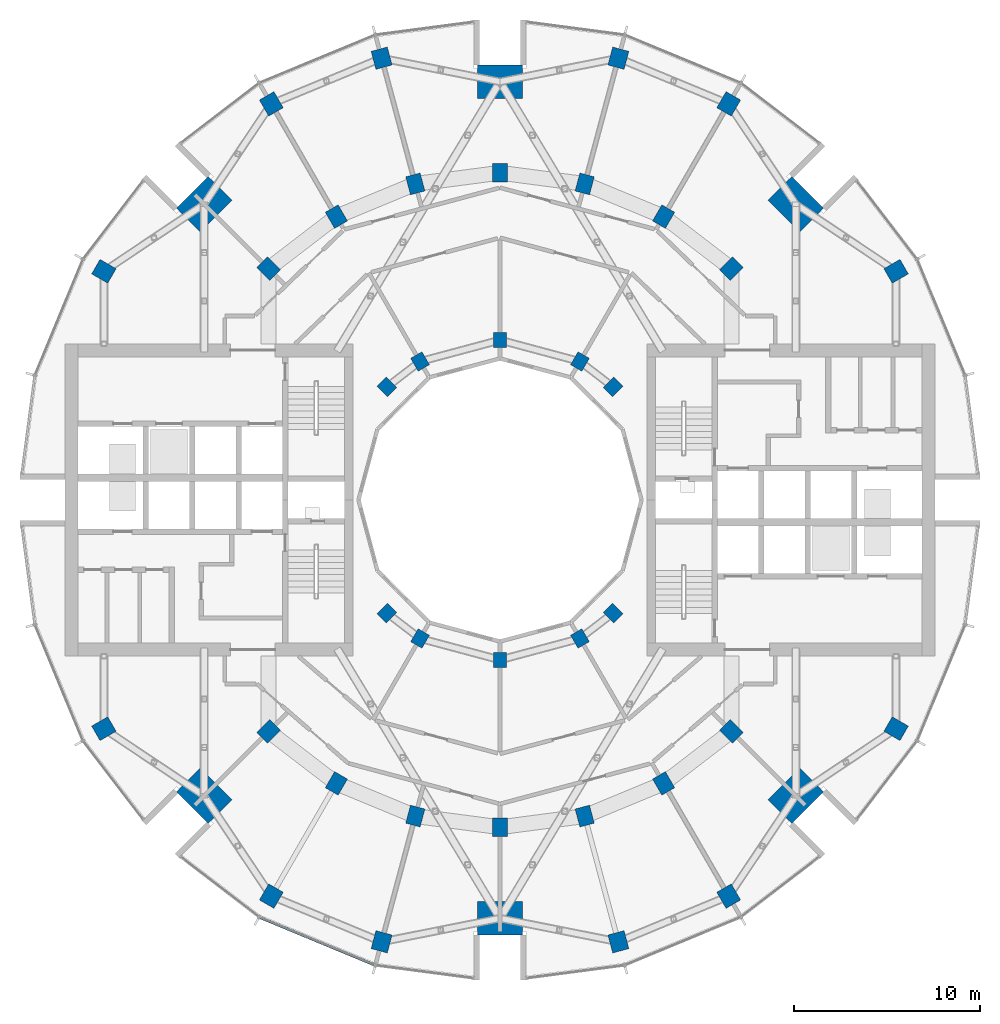
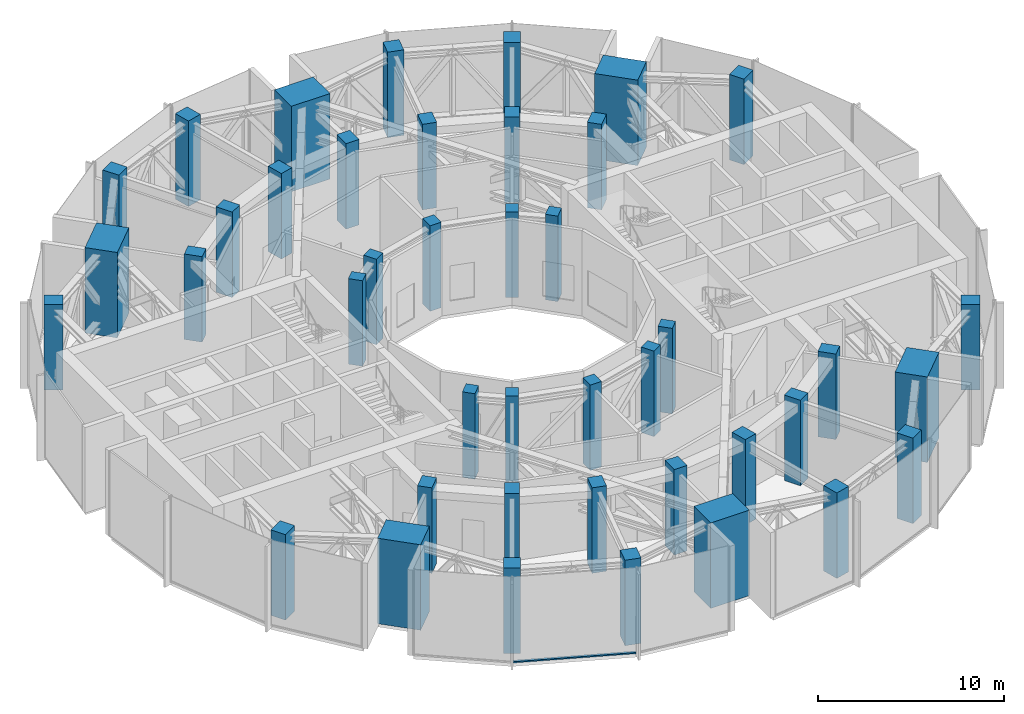
# One storey, part 1 of 18: 42 columns, 1 member, 1 element without a shape of its own.
"""IFC4 building model written with IfcOpenShell, lengths in metres."""

import ifcopenshell
import ifcopenshell.guid

model = None  # the IFC model being written
_history = None  # IfcOwnerHistory: only IFC2X3 demands one
_inside = {}  # id of a spatial element -> (the spatial element, [elements in it])
_under = {}  # id of a project, library or spatial element -> (it, [spatial elements below it])
_declared = {}  # id of a project -> (the project, [libraries it declares])
_typed = {}  # id of a type object -> (the type object, [elements of that type])
_made_of = {}  # id of a material, layer set ... -> (it, [elements and type objects made of it])


def new_model(schema):
    """Start an empty IFC model of exactly this schema.

    Asked for "IFC4X3", IfcOpenShell would pick the latest addendum, in which some entities
    have other attributes; the version numbers below select the first issue.
    IFC2X3 requires an IfcOwnerHistory on every rooted entity: one is made here for all.
    """
    global model, _history
    if schema == "IFC4X3":
        model = ifcopenshell.file(schema_version=(4, 3, 0, 0))
    else:
        model = ifcopenshell.file(schema=schema)
    _inside.clear()
    _under.clear()
    _declared.clear()
    _typed.clear()
    _made_of.clear()
    _history = None
    if model.schema == "IFC2X3":
        org = make("IfcOrganization", Name="unknown")
        user = make(
            "IfcPersonAndOrganization",
            ThePerson=make("IfcPerson", FamilyName="unknown"),
            TheOrganization=org,
        )
        app = make(
            "IfcApplication",
            ApplicationDeveloper=org,
            Version="unknown",
            ApplicationFullName="unknown",
            ApplicationIdentifier="unknown",
        )
        _history = make(
            "IfcOwnerHistory",
            OwningUser=user,
            OwningApplication=app,
            ChangeAction="ADDED",
            CreationDate=0,
        )
    return model


def make(cls, **values):
    """One entity of the class cls with the attributes given. An attribute that is None is left unset."""
    return model.create_entity(
        cls, **{name: value for name, value in values.items() if value is not None}
    )


def rooted(cls, **values):
    """An entity with a GlobalId (a new one), such as an element, a storey or a relation."""
    return make(cls, GlobalId=ifcopenshell.guid.new(), OwnerHistory=_history, **values)


def si_unit(unit_type, name, prefix=None):
    """IfcSIUnit, for example si_unit("LENGTHUNIT", "METRE", prefix="MILLI")."""
    return make("IfcSIUnit", UnitType=unit_type, Prefix=prefix, Name=name)


def assignment(units):
    """IfcUnitAssignment: the units of a project."""
    return None if units is None else make("IfcUnitAssignment", Units=units)


def point(xyz):
    """IfcCartesianPoint."""
    return None if xyz is None else make("IfcCartesianPoint", Coordinates=xyz)


def direction(xyz):
    """IfcDirection."""
    return None if xyz is None else make("IfcDirection", DirectionRatios=xyz)


def frame(location, z_axis=None, x_axis=None):
    """IfcAxis2Placement3D, a coordinate frame: its origin and axes. An axis left out is left unset."""
    return make(
        "IfcAxis2Placement3D",
        Location=point(location),
        Axis=direction(z_axis),
        RefDirection=direction(x_axis),
    )


def frame_2d(location, x_axis=None):
    """IfcAxis2Placement2D, a coordinate frame in the plane: its origin and x axis."""
    return make(
        "IfcAxis2Placement2D", Location=point(location), RefDirection=direction(x_axis)
    )


def origin():
    """The frame at (0, 0, 0) with its axes left unset."""
    return frame((0.0, 0.0, 0.0))


def origin_2d():
    """The frame at (0, 0) in the plane with its x axis left unset."""
    return frame_2d((0.0, 0.0))


def place(relative_to, where):
    """IfcLocalPlacement: puts the frame where relative to a parent placement (None: the world)."""
    return make(
        "IfcLocalPlacement", PlacementRelTo=relative_to, RelativePlacement=where
    )


def context(
    kind, dimensions, precision=None, world=None, true_north=None, identifier=None
):
    """IfcGeometricRepresentationContext, for example the 3D "Model" context."""
    return make(
        "IfcGeometricRepresentationContext",
        ContextIdentifier=identifier,
        ContextType=kind,
        CoordinateSpaceDimension=dimensions,
        Precision=precision,
        WorldCoordinateSystem=world,
        TrueNorth=true_north,
    )


def subcontext(parent, identifier, kind, view, scale=None):
    """IfcGeometricRepresentationSubContext, for example "Body" below "Model"."""
    return make(
        "IfcGeometricRepresentationSubContext",
        ContextIdentifier=identifier,
        ContextType=kind,
        ParentContext=parent,
        TargetScale=scale,
        TargetView=view,
    )


def project(units=None, contexts=None):
    """IfcProject with its units and contexts."""
    return rooted(
        "IfcProject",
        Name="project",
        RepresentationContexts=contexts,
        UnitsInContext=assignment(units),
    )


def spatial(cls, under=None, at=None, **own):
    """A site, building, storey or space (cls), placed at a placement, below another one or the project."""
    s = rooted(cls, ObjectPlacement=at, **own)
    if under is not None:
        _under.setdefault(under.id(), (under, []))[1].append(s)
    return s


def profile(cls, at=None, kind="AREA", **sizes):
    """A parametric profile (cls). Its sizes go by their IFC names, for example OverallWidth=200.0."""
    return make(cls, ProfileType=kind, Position=at, **sizes)


def rectangle(**sizes):
    """IfcRectangleProfileDef."""
    return profile("IfcRectangleProfileDef", **sizes)


def extrude(swept, where, along, depth):
    """IfcExtrudedAreaSolid: the profile swept, set in the frame where, extruded along a direction by depth."""
    return make(
        "IfcExtrudedAreaSolid",
        SweptArea=swept,
        Position=where,
        ExtrudedDirection=direction(along),
        Depth=depth,
    )


def shape(context_of_items, identifier, shape_type, items):
    """IfcShapeRepresentation: the items that make up one representation, for example the "Body"."""
    return make(
        "IfcShapeRepresentation",
        ContextOfItems=context_of_items,
        RepresentationIdentifier=identifier,
        RepresentationType=shape_type,
        Items=items,
    )


def material(Name=None, Category=None):
    """IfcMaterial."""
    return make("IfcMaterial", Name=Name, Category=Category)


def layer(
    of_material, thickness, ventilated=None, Name=None, Category=None, Priority=None
):
    """IfcMaterialLayer: one layer of a wall or slab, of a material (None: an air gap)."""
    return make(
        "IfcMaterialLayer",
        Material=of_material,
        LayerThickness=thickness,
        IsVentilated=ventilated,
        Name=Name,
        Category=Category,
        Priority=Priority,
    )


def layer_set(layers, Name=None):
    """IfcMaterialLayerSet."""
    return make("IfcMaterialLayerSet", MaterialLayers=layers, LayerSetName=Name)


def material_profile(
    of_material, cross_section, Name=None, Category=None, Priority=None
):
    """IfcMaterialProfile: a cross section and its material."""
    return make(
        "IfcMaterialProfile",
        Name=Name,
        Material=of_material,
        Profile=cross_section,
        Priority=Priority,
        Category=Category,
    )


def profile_set(profiles, Name=None, composite=None):
    """IfcMaterialProfileSet."""
    return make(
        "IfcMaterialProfileSet",
        Name=Name,
        MaterialProfiles=profiles,
        CompositeProfile=composite,
    )


def made_of(thing, what):
    """Note that an element or type object is made of a material, layer set ...; save() writes the relation."""
    if what is not None:
        _made_of.setdefault(what.id(), (what, []))[1].append(thing)
    return thing


def type_object(cls, material=None, **own):
    """A type object (cls), such as IfcWallType, which elements share."""
    return made_of(rooted(cls, **own), material)


def element(
    cls,
    number,
    at=None,
    inside=None,
    cuts=None,
    type_object=None,
    material=None,
    context=None,
    identifier="Body",
    shape_type=None,
    held_by="IfcProductDefinitionShape",
    body=None,
    shapes=None,
    **own,
):
    """One element of the class cls, such as IfcWall. Its Tag is "e" and its number.

    at: its placement. inside: the storey or other place that contains it. cuts: it is an
    opening in that element (IfcRelVoidsElement). A single representation is given by context,
    identifier, shape_type and body (its items); several are given by shapes. held_by: the class
    of the entity that holds the representations. save() writes the other relations.
    """
    e = rooted(cls, Tag="e%d" % number, ObjectPlacement=at, **own)
    if body is not None:
        shapes = [shape(context, identifier, shape_type, body)]
    if shapes is not None:
        e.Representation = make(held_by, Representations=shapes)
    if inside is not None:
        _inside.setdefault(inside.id(), (inside, []))[1].append(e)
    if cuts is not None:
        rooted(
            "IfcRelVoidsElement", RelatingBuildingElement=cuts, RelatedOpeningElement=e
        )
    if type_object is not None:
        _typed.setdefault(type_object.id(), (type_object, []))[1].append(e)
    return made_of(e, material)


def aggregate(whole, parts):
    """IfcRelAggregates: a whole, such as a stair, and the parts it consists of."""
    return rooted("IfcRelAggregates", RelatingObject=whole, RelatedObjects=parts)


def save(model, path):
    """Write the relations noted so far, then the file.

    IfcRelAggregates (storeys below a building ...), IfcRelContainedInSpatialStructure (elements
    in a storey), IfcRelDefinesByType, IfcRelAssociatesMaterial and IfcRelDeclares: one each for
    every whole, place, type object, material and project.
    """
    for whole, parts in _under.values():
        aggregate(whole, parts)
    for where, things in _inside.values():
        rooted(
            "IfcRelContainedInSpatialStructure",
            RelatedElements=things,
            RelatingStructure=where,
        )
    for kind, things in _typed.values():
        rooted("IfcRelDefinesByType", RelatedObjects=things, RelatingType=kind)
    for what, things in _made_of.values():
        rooted("IfcRelAssociatesMaterial", RelatedObjects=things, RelatingMaterial=what)
    for by, libraries in _declared.values():
        rooted("IfcRelDeclares", RelatingContext=by, RelatedDefinitions=libraries)
    model.write(path)


model = new_model("IFC4")

# Units and contexts
model_context = context("Model", 3, precision=1e-05, world=origin(), true_north=direction((0.0, 1.0)))
body_context = subcontext(model_context, "Body", "Model", "MODEL_VIEW")
ifc_project = project(units=[si_unit("LENGTHUNIT", "METRE"), si_unit("AREAUNIT", "SQUARE_METRE"), si_unit("VOLUMEUNIT", "CUBIC_METRE"), si_unit("PLANEANGLEUNIT", "RADIAN"), si_unit("MASSUNIT", "GRAM", prefix="KILO")], contexts=[model_context])

# Site, building, storey
site_placement = place(None, origin())
site = spatial("IfcSite", under=ifc_project, at=site_placement, CompositionType="ELEMENT")
building_placement = place(site_placement, origin())
building = spatial("IfcBuilding", under=site, at=building_placement, Name="Torre Brocal", CompositionType="ELEMENT")
storey_placement = place(building_placement, frame((0.0, 0.0, 109.0)))
storey = spatial("IfcBuildingStorey", under=building, at=storey_placement, Name="L25", CompositionType="ELEMENT", Elevation=109.0)

# Columns
ifc_material_1 = material(Name="Concrete C70", Category="concrete")
ifc_material_profile_1 = material_profile(ifc_material_1, rectangle(XDim=1.0, YDim=0.800048828125, at=origin_2d()), Name="RC 1000X800")
ifc_profile_set_1 = profile_set([ifc_material_profile_1], Name="Concrete C70")
column_type_1 = type_object("IfcColumnType", Name="RC COLUMN 1000X800 C70", PredefinedType="COLUMN", material=ifc_profile_set_1)
for number, where, z_axis, x_axis, name in (
    (1, (92.445068359375, 87.445068359375, 0.0), (0.0, 0.0, 1.0), (0.707106781187, 0.707106781187, 0.0), "Column C-M03"),
    (2, (88.800048828125, 90.241943359375, 0.0), (0.0, 0.0, 1.0), (0.5, 0.866025403784, 0.0), "Column C-M04"),
    (3, (84.55517578125, 92.000244140625, 0.0), (0.0, 0.0, 1.0), (0.258819045103, 0.965925826289, 0.0), "Column C-M05"),
    (4, (80.0, 92.60009765625, 0.0), (0.0, 0.0, 1.0), (0.0, 1.0, 0.0), "Column C-M06"),
    (5, (75.44482421875, 92.000244140625, 0.0), (0.0, 0.0, 1.0), (-0.258819045103, 0.965925826289, 0.0), "Column C-M07"),
    (6, (71.199951171875, 90.241943359375, 0.0), (0.0, 0.0, 1.0), (-0.5, 0.866025403784, 0.0), "Column C-M08"),
    (7, (67.554931640625, 87.445068359375, 0.0), (0.0, 0.0, 1.0), (-0.707106781187, 0.707106781187, 0.0), "Column C-M09"),
    (8, (67.554931640625, 62.554931640625, 0.0), (0.0, 0.0, 1.0), (-0.707106781187, -0.707106781187, 0.0), "Column C-M15"),
    (9, (71.199951171875, 59.758056640625, 0.0), (0.0, 0.0, 1.0), (-0.5, -0.866025403784, 0.0), "Column C-M16"),
    (10, (75.44482421875, 57.999755859375, 0.0), (0.0, 0.0, 1.0), (-0.258819045103, -0.965925826289, 0.0), "Column C-M17"),
    (11, (80.0, 57.39990234375, 0.0), (0.0, 0.0, 1.0), (0.0, -1.0, 0.0), "Column C-M18"),
    (12, (84.55517578125, 57.999755859375, 0.0), (0.0, 0.0, 1.0), (0.258819045103, -0.965925826289, 0.0), "Column C-M19"),
    (13, (88.800048828125, 59.758056640625, 0.0), (0.0, 0.0, 1.0), (0.5, -0.866025403784, 0.0), "Column C-M20"),
    (14, (92.445068359375, 62.554931640625, 0.0), (0.0, 0.0, 1.0), (0.707106781187, -0.707106781187, 0.0), "Column C-M21"),
):
    element("IfcColumn", number, at=place(storey_placement, frame(where, z_axis=z_axis, x_axis=x_axis)), inside=storey, type_object=column_type_1, Name=name, PredefinedType="COLUMN", context=body_context, shape_type="SweptSolid", body=[
        extrude(rectangle(XDim=1.0, YDim=0.800048828125, at=origin_2d()), origin(), (0.0, 0.0, 1.0), 5.60009765625),
    ])
ifc_material_2 = material(Name="Concrete C70", Category="concrete")
ifc_material_profile_2 = material_profile(ifc_material_2, rectangle(XDim=1.0, YDim=0.89990234375, at=origin_2d()), Name="RC 1000X900")
ifc_profile_set_2 = profile_set([ifc_material_profile_2], Name="Concrete C70")
column_type_2 = type_object("IfcColumnType", Name="RC COLUMN 1000X900 C70", PredefinedType="COLUMN", material=ifc_profile_set_2)
for number, where, z_axis, x_axis, name in (
    (15, (101.30419921875, 87.300048828125, 0.0), (0.0, 0.0, 1.0), (0.866025403784, 0.5, 0.0), "Column C-O02"),
    (16, (92.300048828125, 96.30419921875, 0.0), (0.0, 0.0, 1.0), (0.5, 0.866025403784, 0.0), "Column C-O04"),
    (17, (86.366943359375, 98.76171875, 0.0), (0.0, 0.0, 1.0), (0.258819045103, 0.965925826289, 0.0), "Column C-O05"),
    (18, (73.633056640625, 98.76171875, 0.0), (0.0, 0.0, 1.0), (-0.258819045103, 0.965925826289, 0.0), "Column C-O07"),
    (19, (67.699951171875, 96.30419921875, 0.0), (0.0, 0.0, 1.0), (-0.5, 0.866025403784, 0.0), "Column C-O08"),
    (20, (58.69580078125, 87.300048828125, 0.0), (0.0, 0.0, 1.0), (-0.866025403784, 0.5, 0.0), "Column C-O10"),
    (21, (58.69580078125, 62.699951171875, 0.0), (0.0, 0.0, 1.0), (-0.866025403784, -0.5, 0.0), "Column C-O14"),
    (22, (67.699951171875, 53.69580078125, 0.0), (0.0, 0.0, 1.0), (-0.5, -0.866025403784, 0.0), "Column C-O16"),
    (23, (73.633056640625, 51.23828125, 0.0), (0.0, 0.0, 1.0), (-0.258819045103, -0.965925826289, 0.0), "Column C-O17"),
    (24, (86.366943359375, 51.23828125, 0.0), (0.0, 0.0, 1.0), (0.258819045103, -0.965925826289, 0.0), "Column C-O19"),
    (25, (92.300048828125, 53.69580078125, 0.0), (0.0, 0.0, 1.0), (0.5, -0.866025403784, 0.0), "Column C-O20"),
    (26, (101.30419921875, 62.699951171875, 0.0), (0.0, 0.0, 1.0), (0.866025403784, -0.5, 0.0), "Column C-O22"),
):
    element("IfcColumn", number, at=place(storey_placement, frame(where, z_axis=z_axis, x_axis=x_axis)), inside=storey, type_object=column_type_2, Name=name, PredefinedType="COLUMN", context=body_context, shape_type="SweptSolid", body=[
        extrude(rectangle(XDim=1.0, YDim=0.89990234375, at=origin_2d()), origin(), (0.0, 0.0, 1.0), 5.60009765625),
    ])
ifc_material_3 = material(Name="Concrete C70", Category="concrete")
ifc_material_profile_3 = material_profile(ifc_material_3, rectangle(XDim=1.800048828125, YDim=2.39990234375, at=origin_2d()), Name="RC 1800X2400")
ifc_profile_set_3 = profile_set([ifc_material_profile_3], Name="Concrete C70")
column_type_3 = type_object("IfcColumnType", Name="RC COLUMN 1800X2400 C70", PredefinedType="COLUMN", material=ifc_profile_set_3)
for number, where, z_axis, x_axis, name in (
    (27, (95.909912109375, 90.909912109375, 0.0), (0.0, 0.0, 1.0), (0.707106781187, 0.707106781187, 0.0), "Column MC-1"),
    (28, (80.0, 97.5, 0.0), (0.0, 0.0, 1.0), (0.0, 1.0, 0.0), "Column MC-2"),
    (29, (64.090087890625, 90.909912109375, 0.0), (0.0, 0.0, 1.0), (-0.707106781187, 0.707106781187, 0.0), "Column MC-3"),
    (30, (64.090087890625, 59.090087890625, 0.0), (0.0, 0.0, 1.0), (-0.707106781187, -0.707106781187, 0.0), "Column MC-5"),
    (31, (80.0, 52.5, 0.0), (0.0, 0.0, 1.0), (0.0, -1.0, 0.0), "Column MC-6"),
    (32, (95.909912109375, 59.090087890625, 0.0), (0.0, 0.0, 1.0), (0.707106781187, -0.707106781187, 0.0), "Column MC-7"),
):
    element("IfcColumn", number, at=place(storey_placement, frame(where, z_axis=z_axis, x_axis=x_axis)), inside=storey, type_object=column_type_3, Name=name, PredefinedType="COLUMN", context=body_context, shape_type="SweptSolid", body=[
        extrude(rectangle(XDim=1.800048828125, YDim=2.39990234375, at=origin_2d()), origin(), (0.0, 0.0, 1.0), 5.60009765625),
    ])
ifc_material_4 = material(Name="Concrete C70", Category="concrete")
ifc_material_profile_4 = material_profile(ifc_material_4, rectangle(XDim=0.800048828125, YDim=0.699951171875, at=origin_2d()), Name="RC 800X700")
ifc_profile_set_4 = profile_set([ifc_material_profile_4], Name="Concrete C70")
column_type_4 = type_object("IfcColumnType", Name="RC COLUMN 800X700 C70", PredefinedType="COLUMN", material=ifc_profile_set_4)
for number, where, z_axis, x_axis, name in (
    (33, (86.0810546875, 81.0810546875, 0.0), (0.0, 0.0, 1.0), (0.707106781187, 0.707106781187, 0.0), "Column C-I03"),
    (34, (84.300048828125, 82.44775390625, 0.0), (0.0, 0.0, 1.0), (0.5, 0.866025403784, 0.0), "Column C-I04"),
    (35, (80.0, 83.60009765625, 0.0), (0.0, 0.0, 1.0), (0.0, 1.0, 0.0), "Column C-I06"),
    (36, (75.699951171875, 82.44775390625, 0.0), (0.0, 0.0, 1.0), (-0.5, 0.866025403784, 0.0), "Column C-I08"),
    (37, (73.9189453125, 81.0810546875, 0.0), (0.0, 0.0, 1.0), (-0.707106781187, 0.707106781187, 0.0), "Column C-I09"),
    (38, (73.9189453125, 68.9189453125, 0.0), (0.0, 0.0, 1.0), (-0.707106781187, -0.707106781187, 0.0), "Column C-I15"),
    (39, (75.699951171875, 67.55224609375, 0.0), (0.0, 0.0, 1.0), (-0.5, -0.866025403784, 0.0), "Column C-I16"),
    (40, (80.0, 66.39990234375, 0.0), (0.0, 0.0, 1.0), (0.0, -1.0, 0.0), "Column C-I18"),
    (41, (84.300048828125, 67.55224609375, 0.0), (0.0, 0.0, 1.0), (0.5, -0.866025403784, 0.0), "Column C-I20"),
    (42, (86.0810546875, 68.9189453125, 0.0), (0.0, 0.0, 1.0), (0.707106781187, -0.707106781187, 0.0), "Column C-I21"),
):
    element("IfcColumn", number, at=place(storey_placement, frame(where, z_axis=z_axis, x_axis=x_axis)), inside=storey, type_object=column_type_4, Name=name, PredefinedType="COLUMN", context=body_context, shape_type="SweptSolid", body=[
        extrude(rectangle(XDim=0.800048828125, YDim=0.699951171875, at=origin_2d()), origin(), (0.0, 0.0, 1.0), 5.60009765625),
    ])

# Curtain wall, member
ifc_material_5 = material(Name="Aluminium and glass", Category="aluminium")
ifc_layer = layer(ifc_material_5, 0.199951171875)
ifc_layer_set = layer_set([ifc_layer], Name="Aluminium and glass")
curtain_wall_type = type_object("IfcCurtainWallType", Name="CW-1 CURTAIN WALL 5600 HIGH", PredefinedType="NOTDEFINED", material=ifc_layer_set)
curtain_wall_placement = place(storey_placement, origin())
curtain_wall = element("IfcCurtainWall", 43, at=curtain_wall_placement, inside=storey, type_object=curtain_wall_type, Name="CW-1 RUN 17", PredefinedType="NOTDEFINED")
ifc_material_6 = material(Name="Aluminium, dark anodised", Category="aluminium")
ifc_material_profile_5 = material_profile(ifc_material_6, rectangle(XDim=0.159912109375, YDim=0.080078125, at=origin_2d()), Name="CW-1 TRANSOM 160X80")
ifc_profile_set_5 = profile_set([ifc_material_profile_5], Name="Aluminium, dark anodised")
member_type = type_object("IfcMemberType", Name="CW-1 TRANSOM 160X80", PredefinedType="USERDEFINED", material=ifc_profile_set_5)
member_placement = place(storey_placement, frame((67.10595703125, 52.547607421875, 0.0400390625), z_axis=(0.923887344364, -0.38266457234, 0.0), x_axis=(0.38266457234, 0.923887344364, 0.0)))
member = element("IfcMember", 44, at=member_placement, type_object=member_type, Name="CW1-2 transom 1.1", ObjectType="TRANSOM", PredefinedType="USERDEFINED", context=body_context, shape_type="SweptSolid", body=[
    extrude(rectangle(XDim=0.159912109375, YDim=0.080078125, at=origin_2d()), origin(), (0.0, 0.0, 1.0), 6.640869140625),
])
aggregate(curtain_wall, [member])

save(model, "model.ifc")
